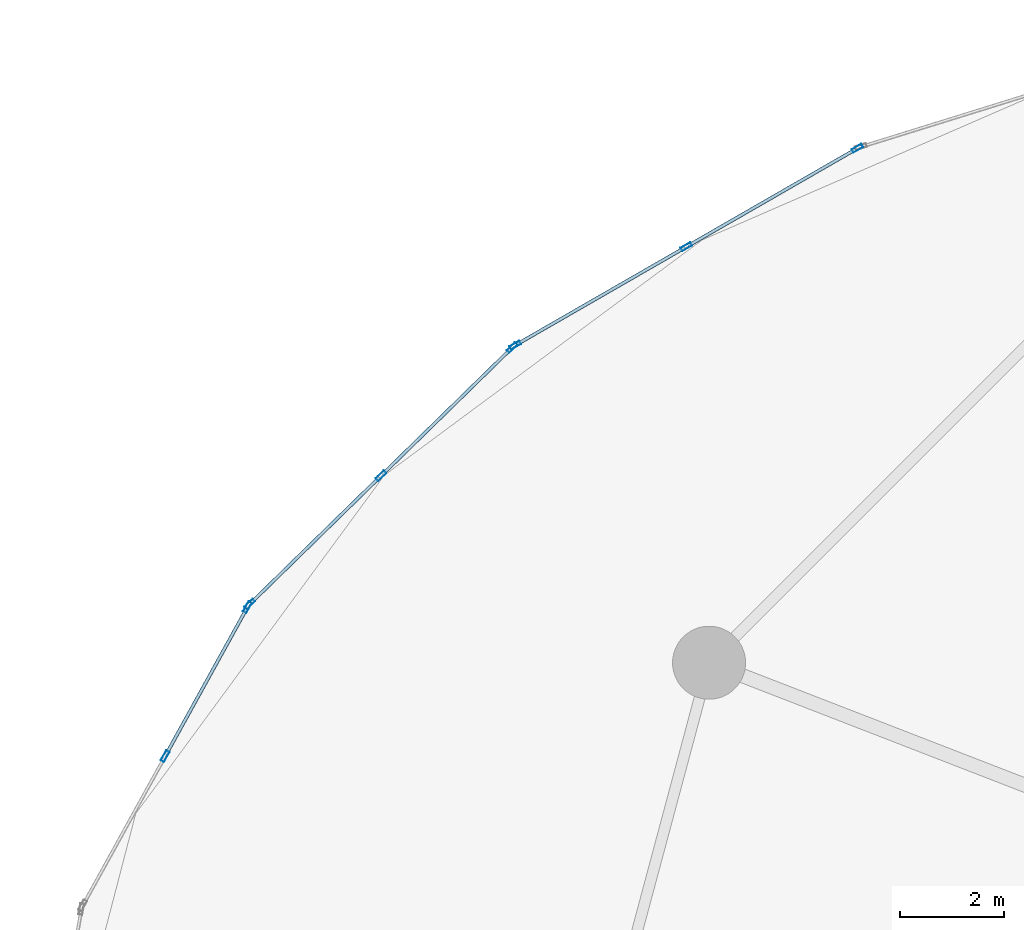
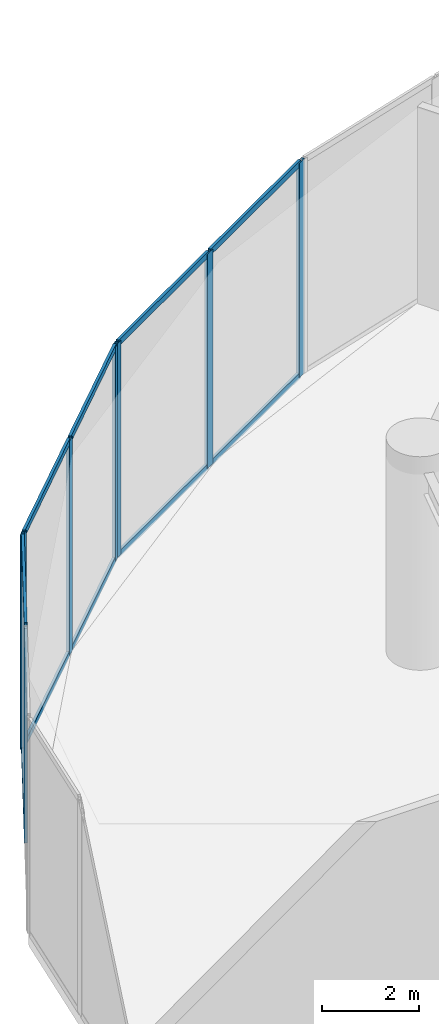
# One storey, part 14 of 29: 18 members, 3 elements without a shape of their own.
"""IFC4 building model written with IfcOpenShell, lengths in metres."""

from ifc_helpers import new_model, si_unit, direction, frame, origin, origin_2d, place, context, subcontext, project, spatial, hollow_rectangle, extrude, source, transform, mapped, material, layer, layer_set, material_profile, profile_set, type_object, element, aggregate, save


model = new_model("IFC4")

# Units and contexts
model_context = context("Model", 3, precision=1e-05, world=origin(), true_north=direction((0.0, 1.0)))
body_context = subcontext(model_context, "Body", "Model", "MODEL_VIEW")
ifc_project = project(units=[si_unit("LENGTHUNIT", "METRE"), si_unit("AREAUNIT", "SQUARE_METRE"), si_unit("VOLUMEUNIT", "CUBIC_METRE"), si_unit("PLANEANGLEUNIT", "RADIAN"), si_unit("MASSUNIT", "GRAM", prefix="KILO")], contexts=[model_context])

# Site, building, storey
site_placement = place(None, origin())
site = spatial("IfcSite", under=ifc_project, at=site_placement, CompositionType="ELEMENT")
building_placement = place(site_placement, origin())
building = spatial("IfcBuilding", under=site, at=building_placement, Name="Solvirekh Grand Hotel", CompositionType="ELEMENT")
storey_placement = place(building_placement, frame((0.0, 0.0, 7.199951171875)))
storey = spatial("IfcBuildingStorey", under=building, at=storey_placement, Name="L01", CompositionType="ELEMENT", Elevation=7.199951171875)

# Curtain wall, members
ifc_material = material(Name="Anodized Bronze Aluminium 6063-T6", Category="aluminium")
ifc_layer = layer(ifc_material, 0.219970703125)
ifc_layer_set = layer_set([ifc_layer], Name="Anodized Bronze Aluminium 6063-T6")
curtain_wall_type = type_object("IfcCurtainWallType", Name="CW_Sys1_PodiumBronzeUnitised", PredefinedType="NOTDEFINED", material=ifc_layer_set)
curtain_wall_1_placement = place(storey_placement, origin())
curtain_wall_1 = element("IfcCurtainWall", 1, at=curtain_wall_1_placement, inside=storey, type_object=curtain_wall_type, Name="L01 unitised bronze-glass curtain wall CW-L01-C09", PredefinedType="NOTDEFINED")
ifc_material_profile_1 = material_profile(ifc_material, hollow_rectangle(XDim=0.074951171875, YDim=0.219970703125, WallThickness=0.006103515625, at=origin_2d()), Name="ALU RHS 220X75X6")
ifc_profile_set_1 = profile_set([ifc_material_profile_1], Name="Anodized Bronze Aluminium 6063-T6")
member_type_1 = type_object("IfcMemberType", Name="CWMullion_Sys1", PredefinedType="MULLION", material=ifc_profile_set_1)
shared_shape_1 = source(origin(), body_context, "Body", "SweptSolid", [
    extrude(hollow_rectangle(XDim=0.074951171875, YDim=0.219970703125, WallThickness=0.006103515625, at=origin_2d()), origin(), (0.0, 0.0, 1.0), 5.400146484375),
])
member_1_placement = place(storey_placement, frame((-16.032470703125, 20.766357421875, 0.0), z_axis=(0.0, 0.0, 1.0), x_axis=(0.498812636829, -0.8667098438, 0.0)))
member_1 = element("IfcMember", 2, at=member_1_placement, type_object=member_type_1, Name="U01 mullion 1", PredefinedType="MULLION", context=body_context, shape_type="MappedRepresentation", body=[
    mapped(shared_shape_1, transform((0.0, 0.0, 0.0), x_axis=(1.0, 0.0, 0.0), y_axis=(0.0, 1.0, 0.0), z_axis=(0.0, 0.0, 1.0), scale=1.0)),
])
member_2_placement = place(storey_placement, frame((-19.3134765625, 18.8779296875, 0.0), z_axis=(0.0, 0.0, 1.0), x_axis=(0.498812636829, -0.8667098438, 0.0)))
member_2 = element("IfcMember", 3, at=member_2_placement, type_object=member_type_1, Name="U01 mullion 2", PredefinedType="MULLION", context=body_context, shape_type="MappedRepresentation", body=[
    mapped(shared_shape_1, transform((0.0, 0.0, 0.0), x_axis=(1.0, 0.0, 0.0), y_axis=(0.0, 1.0, 0.0), z_axis=(0.0, 0.0, 1.0), scale=1.0)),
])
member_3_placement = place(storey_placement, frame((-22.594482421875, 16.98974609375, 0.0), z_axis=(0.0, 0.0, 1.0), x_axis=(0.498812636829, -0.8667098438, 0.0)))
member_3 = element("IfcMember", 4, at=member_3_placement, type_object=member_type_1, Name="U01 mullion 3", PredefinedType="MULLION", context=body_context, shape_type="MappedRepresentation", body=[
    mapped(shared_shape_1, transform((0.0, 0.0, 0.0), x_axis=(1.0, 0.0, 0.0), y_axis=(0.0, 1.0, 0.0), z_axis=(0.0, 0.0, 1.0), scale=1.0)),
])

curtain_wall_2_placement = place(storey_placement, origin())
curtain_wall_2 = element("IfcCurtainWall", 5, at=curtain_wall_2_placement, inside=storey, type_object=curtain_wall_type, Name="L01 unitised bronze-glass curtain wall CW-L01-C10", PredefinedType="NOTDEFINED")
member_4_placement = place(storey_placement, frame((-22.65380859375, 16.94482421875, 0.0), z_axis=(0.0, 0.0, 1.0), x_axis=(0.698975445529, -0.715145668062, 0.0)))
member_4 = element("IfcMember", 6, at=member_4_placement, type_object=member_type_1, Name="U01 mullion 1", PredefinedType="MULLION", context=body_context, shape_type="MappedRepresentation", body=[
    mapped(shared_shape_1, transform((0.0, 0.0, 0.0), x_axis=(1.0, 0.0, 0.0), y_axis=(0.0, 1.0, 0.0), z_axis=(0.0, 0.0, 1.0), scale=1.0)),
])
member_5_placement = place(storey_placement, frame((-25.169921875, 14.485595703125, 0.0), z_axis=(0.0, 0.0, 1.0), x_axis=(0.698975445529, -0.715145668062, 0.0)))
member_5 = element("IfcMember", 7, at=member_5_placement, type_object=member_type_1, Name="U01 mullion 2", PredefinedType="MULLION", context=body_context, shape_type="MappedRepresentation", body=[
    mapped(shared_shape_1, transform((0.0, 0.0, 0.0), x_axis=(1.0, 0.0, 0.0), y_axis=(0.0, 1.0, 0.0), z_axis=(0.0, 0.0, 1.0), scale=1.0)),
])
member_6_placement = place(storey_placement, frame((-27.686279296875, 12.026123046875, 0.0), z_axis=(0.0, 0.0, 1.0), x_axis=(0.698975445529, -0.715145668062, 0.0)))
member_6 = element("IfcMember", 8, at=member_6_placement, type_object=member_type_1, Name="U01 mullion 3", PredefinedType="MULLION", context=body_context, shape_type="MappedRepresentation", body=[
    mapped(shared_shape_1, transform((0.0, 0.0, 0.0), x_axis=(1.0, 0.0, 0.0), y_axis=(0.0, 1.0, 0.0), z_axis=(0.0, 0.0, 1.0), scale=1.0)),
])

curtain_wall_3_placement = place(storey_placement, origin())
curtain_wall_3 = element("IfcCurtainWall", 9, at=curtain_wall_3_placement, inside=storey, type_object=curtain_wall_type, Name="L01 unitised bronze-glass curtain wall CW-L01-C11", PredefinedType="NOTDEFINED")
member_7_placement = place(storey_placement, frame((-27.731201171875, 11.96728515625, 0.0), z_axis=(0.0, 0.0, 1.0), x_axis=(0.875345975229, -0.48349707719, 0.0)))
member_7 = element("IfcMember", 10, at=member_7_placement, type_object=member_type_1, Name="U01 mullion 1", PredefinedType="MULLION", context=body_context, shape_type="MappedRepresentation", body=[
    mapped(shared_shape_1, transform((0.0, 0.0, 0.0), x_axis=(1.0, 0.0, 0.0), y_axis=(0.0, 1.0, 0.0), z_axis=(0.0, 0.0, 1.0), scale=1.0)),
])
member_8_placement = place(storey_placement, frame((-29.3115234375, 9.10595703125, 0.0), z_axis=(0.0, 0.0, 1.0), x_axis=(0.875345975229, -0.48349707719, 0.0)))
member_8 = element("IfcMember", 11, at=member_8_placement, type_object=member_type_1, Name="U01 mullion 2", PredefinedType="MULLION", context=body_context, shape_type="MappedRepresentation", body=[
    mapped(shared_shape_1, transform((0.0, 0.0, 0.0), x_axis=(1.0, 0.0, 0.0), y_axis=(0.0, 1.0, 0.0), z_axis=(0.0, 0.0, 1.0), scale=1.0)),
])
ifc_material_profile_2 = material_profile(ifc_material, hollow_rectangle(XDim=0.06494140625, YDim=0.14990234375, WallThickness=0.0048828125, at=origin_2d()), Name="ALU RHS 150X65X5")
ifc_profile_set_2 = profile_set([ifc_material_profile_2], Name="Anodized Bronze Aluminium 6063-T6")
member_type_2 = type_object("IfcMemberType", Name="CWTransom_Sys1", PredefinedType="USERDEFINED", material=ifc_profile_set_2)
shared_shape_2 = source(origin(), body_context, "Body", "SweptSolid", [
    extrude(hollow_rectangle(XDim=0.06494140625, YDim=0.14990234375, WallThickness=0.0048828125, at=origin_2d()), origin(), (0.0, 0.0, 1.0), 3.193603515625),
])
member_9_placement = place(storey_placement, frame((-27.749267578125, 11.934326171875, 0.032470703125), z_axis=(-0.483531992025, -0.875326689121, 0.0), x_axis=(0.875326689121, -0.483531992025, 0.0)))
member_9 = element("IfcMember", 12, at=member_9_placement, type_object=member_type_2, Name="U01 transom 1.1", ObjectType="TRANSOM", PredefinedType="USERDEFINED", context=body_context, shape_type="MappedRepresentation", body=[
    mapped(shared_shape_2, transform((0.0, 0.0, 0.0), x_axis=(1.0, 0.0, 0.0), y_axis=(0.0, 1.0, 0.0), z_axis=(0.0, 0.0, 1.0), scale=1.0)),
])
member_10_placement = place(storey_placement, frame((-27.749267578125, 11.934326171875, 5.367431640625), z_axis=(-0.483531992025, -0.875326689121, 0.0), x_axis=(0.875326689121, -0.483531992025, 0.0)))
member_10 = element("IfcMember", 13, at=member_10_placement, type_object=member_type_2, Name="U01 transom 1.2", ObjectType="TRANSOM", PredefinedType="USERDEFINED", context=body_context, shape_type="MappedRepresentation", body=[
    mapped(shared_shape_2, transform((0.0, 0.0, 0.0), x_axis=(1.0, 0.0, 0.0), y_axis=(0.0, 1.0, 0.0), z_axis=(0.0, 0.0, 1.0), scale=1.0)),
])
aggregate(curtain_wall_3, [member_7, member_8, member_9, member_10])

# Member
shared_shape_3 = source(origin(), body_context, "Body", "SweptSolid", [
    extrude(hollow_rectangle(XDim=0.06494140625, YDim=0.14990234375, WallThickness=0.0048828125, at=origin_2d()), origin(), (0.0, 0.0, 1.0), 3.443359375),
])
member_11_placement = place(storey_placement, frame((-25.19677734375, 14.459228515625, 0.032470703125), z_axis=(-0.715178342061, -0.698942014081, 0.0), x_axis=(0.698942014081, -0.715178342061, 0.0)))
member_11 = element("IfcMember", 14, at=member_11_placement, type_object=member_type_2, Name="U01 transom 2.1", ObjectType="TRANSOM", PredefinedType="USERDEFINED", context=body_context, shape_type="MappedRepresentation", body=[
    mapped(shared_shape_3, transform((0.0, 0.0, 0.0), x_axis=(1.0, 0.0, 0.0), y_axis=(0.0, 1.0, 0.0), z_axis=(0.0, 0.0, 1.0), scale=1.0)),
])

member_12_placement = place(storey_placement, frame((-25.19677734375, 14.459228515625, 5.367431640625), z_axis=(-0.715178342061, -0.698942014081, 0.0), x_axis=(0.698942014081, -0.715178342061, 0.0)))
member_12 = element("IfcMember", 15, at=member_12_placement, type_object=member_type_2, Name="U01 transom 2.2", ObjectType="TRANSOM", PredefinedType="USERDEFINED", context=body_context, shape_type="MappedRepresentation", body=[
    mapped(shared_shape_3, transform((0.0, 0.0, 0.0), x_axis=(1.0, 0.0, 0.0), y_axis=(0.0, 1.0, 0.0), z_axis=(0.0, 0.0, 1.0), scale=1.0)),
])

shared_shape_4 = source(origin(), body_context, "Body", "SweptSolid", [
    extrude(hollow_rectangle(XDim=0.06494140625, YDim=0.14990234375, WallThickness=0.0048828125, at=origin_2d()), origin(), (0.0, 0.0, 1.0), 3.443115234375),
])
member_13_placement = place(storey_placement, frame((-22.6806640625, 16.91845703125, 0.032470703125), z_axis=(-0.715143702876, -0.698977456172, 0.0), x_axis=(0.698977456172, -0.715143702876, 0.0)))
member_13 = element("IfcMember", 16, at=member_13_placement, type_object=member_type_2, Name="U01 transom 1.1", ObjectType="TRANSOM", PredefinedType="USERDEFINED", context=body_context, shape_type="MappedRepresentation", body=[
    mapped(shared_shape_4, transform((0.0, 0.0, 0.0), x_axis=(1.0, 0.0, 0.0), y_axis=(0.0, 1.0, 0.0), z_axis=(0.0, 0.0, 1.0), scale=1.0)),
])

member_14_placement = place(storey_placement, frame((-22.6806640625, 16.91845703125, 5.367431640625), z_axis=(-0.715143702876, -0.698977456172, 0.0), x_axis=(0.698977456172, -0.715143702876, 0.0)))
member_14 = element("IfcMember", 17, at=member_14_placement, type_object=member_type_2, Name="U01 transom 1.2", ObjectType="TRANSOM", PredefinedType="USERDEFINED", context=body_context, shape_type="MappedRepresentation", body=[
    mapped(shared_shape_4, transform((0.0, 0.0, 0.0), x_axis=(1.0, 0.0, 0.0), y_axis=(0.0, 1.0, 0.0), z_axis=(0.0, 0.0, 1.0), scale=1.0)),
])

aggregate(curtain_wall_2, [member_4, member_5, member_6, member_13, member_14, member_11, member_12])

shared_shape_5 = source(origin(), body_context, "Body", "SweptSolid", [
    extrude(hollow_rectangle(XDim=0.06494140625, YDim=0.14990234375, WallThickness=0.0048828125, at=origin_2d()), origin(), (0.0, 0.0, 1.0), 3.710693359375),
])
member_15_placement = place(storey_placement, frame((-16.06494140625, 20.74755859375, 0.032470703125), z_axis=(-0.866720724541, -0.498793730566, 0.0), x_axis=(0.498793730566, -0.866720724541, 0.0)))
member_15 = element("IfcMember", 18, at=member_15_placement, type_object=member_type_2, Name="U01 transom 1.1", ObjectType="TRANSOM", PredefinedType="USERDEFINED", context=body_context, shape_type="MappedRepresentation", body=[
    mapped(shared_shape_5, transform((0.0, 0.0, 0.0), x_axis=(1.0, 0.0, 0.0), y_axis=(0.0, 1.0, 0.0), z_axis=(0.0, 0.0, 1.0), scale=1.0)),
])

member_16_placement = place(storey_placement, frame((-16.06494140625, 20.74755859375, 5.367431640625), z_axis=(-0.866720724541, -0.498793730566, 0.0), x_axis=(0.498793730566, -0.866720724541, 0.0)))
member_16 = element("IfcMember", 19, at=member_16_placement, type_object=member_type_2, Name="U01 transom 1.2", ObjectType="TRANSOM", PredefinedType="USERDEFINED", context=body_context, shape_type="MappedRepresentation", body=[
    mapped(shared_shape_5, transform((0.0, 0.0, 0.0), x_axis=(1.0, 0.0, 0.0), y_axis=(0.0, 1.0, 0.0), z_axis=(0.0, 0.0, 1.0), scale=1.0)),
])

member_17_placement = place(storey_placement, frame((-19.345947265625, 18.859375, 0.032470703125), z_axis=(-0.866692279804, -0.498843153835, 0.0), x_axis=(0.498843153835, -0.866692279804, 0.0)))
member_17 = element("IfcMember", 20, at=member_17_placement, type_object=member_type_2, Name="U01 transom 2.1", ObjectType="TRANSOM", PredefinedType="USERDEFINED", context=body_context, shape_type="MappedRepresentation", body=[
    mapped(shared_shape_5, transform((0.0, 0.0, 0.0), x_axis=(1.0, 0.0, 0.0), y_axis=(0.0, 1.0, 0.0), z_axis=(0.0, 0.0, 1.0), scale=1.0)),
])

member_18_placement = place(storey_placement, frame((-19.345947265625, 18.859375, 5.367431640625), z_axis=(-0.866692279804, -0.498843153835, 0.0), x_axis=(0.498843153835, -0.866692279804, 0.0)))
member_18 = element("IfcMember", 21, at=member_18_placement, type_object=member_type_2, Name="U01 transom 2.2", ObjectType="TRANSOM", PredefinedType="USERDEFINED", context=body_context, shape_type="MappedRepresentation", body=[
    mapped(shared_shape_5, transform((0.0, 0.0, 0.0), x_axis=(1.0, 0.0, 0.0), y_axis=(0.0, 1.0, 0.0), z_axis=(0.0, 0.0, 1.0), scale=1.0)),
])

aggregate(curtain_wall_1, [member_1, member_2, member_3, member_15, member_16, member_17, member_18])

save(model, "model.ifc")
